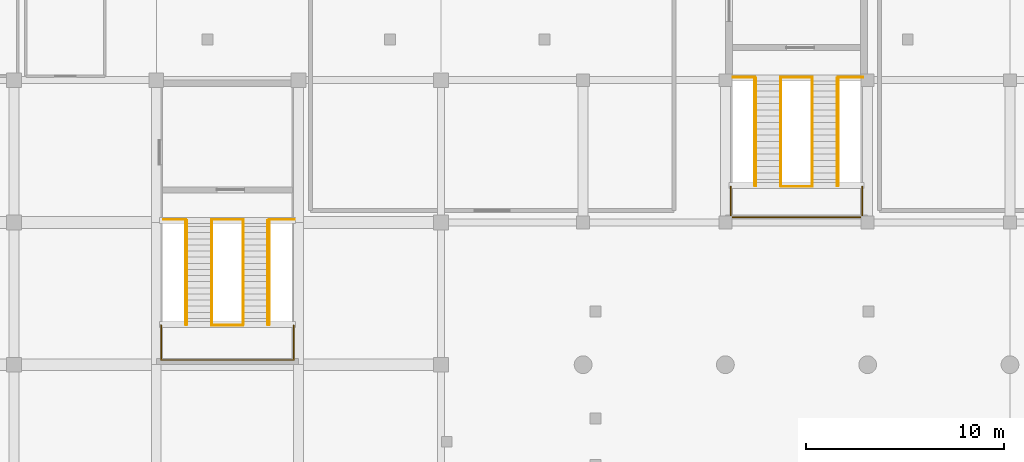
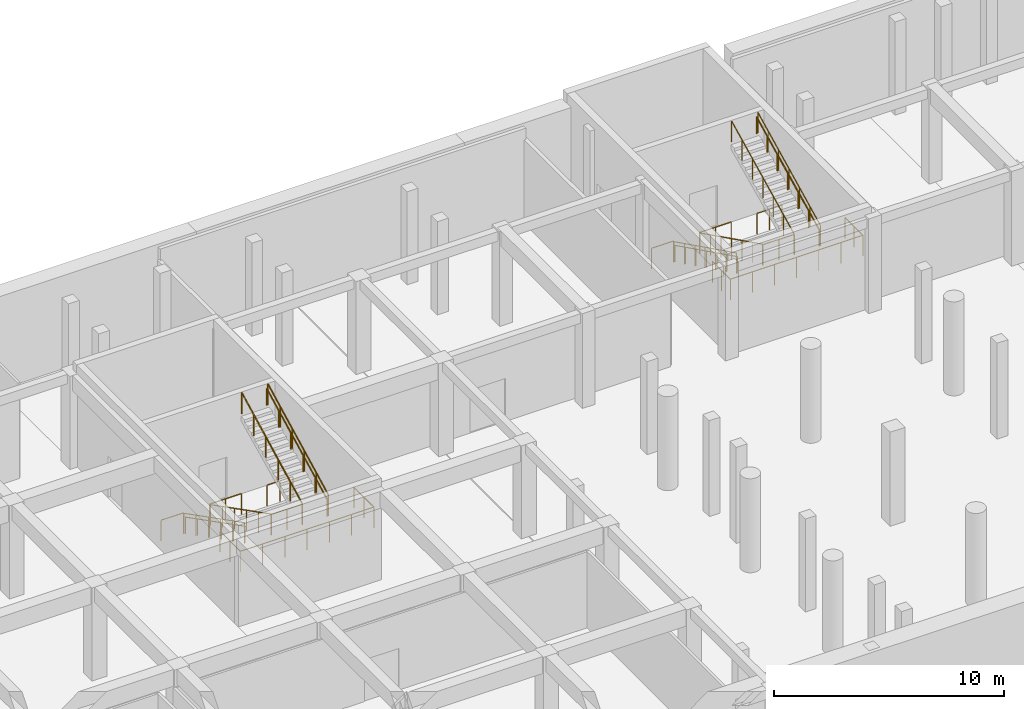
# One storey, part 12 of 15: 22 railings.
"""IFC4 building model written with IfcOpenShell, lengths in metres."""

from ifc_helpers import new_model, si_unit, direction, frame, origin, origin_2d, place, context, subcontext, project, spatial, circle, extrude, material, type_object, element, save


model = new_model("IFC4")

# Units and contexts
model_context = context("Model", 3, precision=1e-05, world=origin(), true_north=direction((0.0, 1.0)))
body_context = subcontext(model_context, "Body", "Model", "MODEL_VIEW")
ifc_project = project(units=[si_unit("LENGTHUNIT", "METRE"), si_unit("AREAUNIT", "SQUARE_METRE"), si_unit("VOLUMEUNIT", "CUBIC_METRE"), si_unit("PLANEANGLEUNIT", "RADIAN"), si_unit("MASSUNIT", "GRAM", prefix="KILO")], contexts=[model_context])

# Site, building, storey
site_placement = place(None, origin())
site = spatial("IfcSite", under=ifc_project, at=site_placement, CompositionType="ELEMENT")
building_placement = place(site_placement, origin())
building = spatial("IfcBuilding", under=site, at=building_placement, Name="Leyfeld Transit Interchange", CompositionType="ELEMENT")
storey_placement = place(building_placement, frame((0.0, 0.0, -5.39990234375)))
storey = spatial("IfcBuildingStorey", under=building, at=storey_placement, Name="B01", CompositionType="ELEMENT", Elevation=-5.39990234375)

# Railings
ifc_material = material(Name="Stainless steel EN 1.4404", Category="steel")
railing_type_1 = type_object("IfcRailingType", Name="RL-STR-GRD-1100", PredefinedType="GUARDRAIL", material=ifc_material)
railing_1_placement = place(storey_placement, frame((86.760009765625, 43.35009765625, 0.0)))
element("IfcRailing", 1, at=railing_1_placement, inside=storey, type_object=railing_type_1, Name="Stair ST-07 Landing Guard FLW B01", PredefinedType="GUARDRAIL", context=body_context, shape_type="SweptSolid", body=[
    extrude(circle(Radius=0.02392578125, at=origin_2d()), frame((0.0, 0.0, 1.09619140625), z_axis=(1.0, 0.0, 0.0), x_axis=(0.0, 1.0, 0.0)), (0.0, 0.0, 1.0), 1.139892578125),
    extrude(circle(Radius=0.02099609375, at=origin_2d()), origin(), (0.0, 0.0, 1.0), 1.072021484375),
    extrude(circle(Radius=0.02099609375, at=origin_2d()), frame((1.139892578125, 0.0, 0.0)), (0.0, 0.0, 1.0), 1.072021484375),
])
railing_2_placement = place(storey_placement, frame((89.199951171875, 43.35009765625, 0.0)))
element("IfcRailing", 2, at=railing_2_placement, inside=storey, type_object=railing_type_1, Name="Stair ST-07 Landing Guard EYE B01", PredefinedType="GUARDRAIL", context=body_context, shape_type="SweptSolid", body=[
    extrude(circle(Radius=0.02392578125, at=origin_2d()), frame((0.0, 0.0, 1.09619140625), z_axis=(1.0, 0.0, 0.0), x_axis=(0.0, 1.0, 0.0)), (0.0, 0.0, 1.0), 1.60009765625),
    extrude(circle(Radius=0.02099609375, at=origin_2d()), origin(), (0.0, 0.0, 1.0), 1.072021484375),
    extrude(circle(Radius=0.02099609375, at=origin_2d()), frame((0.800048828125, 0.0, 0.0)), (0.0, 0.0, 1.0), 1.072021484375),
    extrude(circle(Radius=0.02099609375, at=origin_2d()), frame((1.60009765625, 0.0, 0.0)), (0.0, 0.0, 1.0), 1.072021484375),
])
railing_3_placement = place(storey_placement, frame((92.10009765625, 43.35009765625, 0.0)))
element("IfcRailing", 3, at=railing_3_placement, inside=storey, type_object=railing_type_1, Name="Stair ST-07 Landing Guard FLE B01", PredefinedType="GUARDRAIL", context=body_context, shape_type="SweptSolid", body=[
    extrude(circle(Radius=0.02392578125, at=origin_2d()), frame((0.0, 0.0, 1.09619140625), z_axis=(1.0, 0.0, 0.0), x_axis=(0.0, 1.0, 0.0)), (0.0, 0.0, 1.0), 1.289794921875),
    extrude(circle(Radius=0.02099609375, at=origin_2d()), origin(), (0.0, 0.0, 1.0), 1.072021484375),
    extrude(circle(Radius=0.02099609375, at=origin_2d()), frame((0.64501953125, 0.0, 0.0)), (0.0, 0.0, 1.0), 1.072021484375),
    extrude(circle(Radius=0.02099609375, at=origin_2d()), frame((1.289794921875, 0.0, 0.0)), (0.0, 0.0, 1.0), 1.072021484375),
])
railing_4_placement = place(storey_placement, frame((89.2099609375, 37.989990234375, 2.699951171875)))
element("IfcRailing", 4, at=railing_4_placement, inside=storey, type_object=railing_type_1, Name="Stair ST-07 B01 Half-Landing Inner Guard", PredefinedType="GUARDRAIL", context=body_context, shape_type="SweptSolid", body=[
    extrude(circle(Radius=0.02392578125, at=origin_2d()), frame((0.0, 0.0, 1.09619140625), z_axis=(1.0, 0.0, 0.0), x_axis=(0.0, 1.0, 0.0)), (0.0, 0.0, 1.0), 1.580078125),
    extrude(circle(Radius=0.02099609375, at=origin_2d()), origin(), (0.0, 0.0, 1.0), 1.072021484375),
    extrude(circle(Radius=0.02099609375, at=origin_2d()), frame((0.7900390625, 0.0, 0.0)), (0.0, 0.0, 1.0), 1.072021484375),
    extrude(circle(Radius=0.02099609375, at=origin_2d()), frame((1.580078125, 0.0, 0.0)), (0.0, 0.0, 1.0), 1.072021484375),
])
railing_5_placement = place(storey_placement, frame((86.639892578125, 37.989990234375, 2.699951171875)))
element("IfcRailing", 5, at=railing_5_placement, inside=storey, type_object=railing_type_1, Name="Stair ST-07 B01 Half-Landing Perimeter Guard", PredefinedType="GUARDRAIL", context=body_context, shape_type="SweptSolid", body=[
    extrude(circle(Radius=0.02392578125, at=origin_2d()), frame((0.0, 0.0, 1.09619140625), z_axis=(0.0, -1.0, 0.0), x_axis=(1.0, 0.0, 0.0)), (0.0, 0.0, 1.0), 1.75),
    extrude(circle(Radius=0.02392578125, at=origin_2d()), frame((0.0, -1.75, 1.09619140625), z_axis=(1.0, 0.0, 0.0), x_axis=(0.0, 1.0, 0.0)), (0.0, 0.0, 1.0), 6.72021484375),
    extrude(circle(Radius=0.02392578125, at=origin_2d()), frame((6.72021484375, -1.75, 1.09619140625), z_axis=(0.0, 1.0, 0.0), x_axis=(-1.0, 0.0, 0.0)), (0.0, 0.0, 1.0), 1.75),
    extrude(circle(Radius=0.02099609375, at=origin_2d()), origin(), (0.0, 0.0, 1.0), 1.072021484375),
    extrude(circle(Radius=0.02099609375, at=origin_2d()), frame((0.0, -0.875, 0.0)), (0.0, 0.0, 1.0), 1.072021484375),
    extrude(circle(Radius=0.02099609375, at=origin_2d()), frame((0.0, -1.75, 0.0)), (0.0, 0.0, 1.0), 1.072021484375),
    extrude(circle(Radius=0.02099609375, at=origin_2d()), frame((1.1201171875, -1.75, 0.0)), (0.0, 0.0, 1.0), 1.072021484375),
    extrude(circle(Radius=0.02099609375, at=origin_2d()), frame((2.239990234375, -1.75, 0.0)), (0.0, 0.0, 1.0), 1.072021484375),
    extrude(circle(Radius=0.02099609375, at=origin_2d()), frame((3.360107421875, -1.75, 0.0)), (0.0, 0.0, 1.0), 1.072021484375),
    extrude(circle(Radius=0.02099609375, at=origin_2d()), frame((4.480224609375, -1.75, 0.0)), (0.0, 0.0, 1.0), 1.072021484375),
    extrude(circle(Radius=0.02099609375, at=origin_2d()), frame((5.60009765625, -1.75, 0.0)), (0.0, 0.0, 1.0), 1.072021484375),
    extrude(circle(Radius=0.02099609375, at=origin_2d()), frame((6.72021484375, -1.75, 0.0)), (0.0, 0.0, 1.0), 1.072021484375),
    extrude(circle(Radius=0.02099609375, at=origin_2d()), frame((6.72021484375, -0.875, 0.0)), (0.0, 0.0, 1.0), 1.072021484375),
    extrude(circle(Radius=0.02099609375, at=origin_2d()), frame((6.72021484375, 0.0, 0.0)), (0.0, 0.0, 1.0), 1.072021484375),
])
for number, where, name in (
    (6, (89.2099609375, 43.300048828125, 0.0), "Stair ST-07 B01 F1 Inner Guard"),
    (7, (87.889892578125, 43.300048828125, 0.0), "Stair ST-07 B01 F1 Outer Guard"),
):
    element("IfcRailing", number, at=place(storey_placement, frame(where)), inside=storey, type_object=railing_type_1, Name=name, PredefinedType="GUARDRAIL", context=body_context, shape_type="SweptSolid", body=[
        extrude(circle(Radius=0.02392578125, at=origin_2d()), frame((0.0, 0.0, 1.09619140625), z_axis=(0.0, -0.889997253095, 0.455965886314), x_axis=(1.0, 0.0, 0.0)), (0.0, 0.0, 1.0), 5.92138671875),
        extrude(circle(Radius=0.02099609375, at=origin_2d()), origin(), (0.0, 0.0, 1.0), 1.072021484375),
        extrude(circle(Radius=0.02099609375, at=origin_2d()), frame((0.0, -1.053955078125, 0.5400390625)), (0.0, 0.0, 1.0), 1.072021484375),
        extrude(circle(Radius=0.02099609375, at=origin_2d()), frame((0.0, -2.10791015625, 1.080078125)), (0.0, 0.0, 1.0), 1.072021484375),
        extrude(circle(Radius=0.02099609375, at=origin_2d()), frame((0.0, -3.162109375, 1.619873046875)), (0.0, 0.0, 1.0), 1.072021484375),
        extrude(circle(Radius=0.02099609375, at=origin_2d()), frame((0.0, -4.216064453125, 2.159912109375)), (0.0, 0.0, 1.0), 1.072021484375),
        extrude(circle(Radius=0.02099609375, at=origin_2d()), frame((0.0, -5.27001953125, 2.699951171875)), (0.0, 0.0, 1.0), 1.072021484375),
    ])
for number, where, name in (
    (8, (90.7900390625, 38.030029296875, 2.699951171875), "Stair ST-07 B01 F2 Inner Guard"),
    (9, (92.110107421875, 38.030029296875, 2.699951171875), "Stair ST-07 B01 F2 Outer Guard"),
):
    element("IfcRailing", number, at=place(storey_placement, frame(where)), inside=storey, type_object=railing_type_1, Name=name, PredefinedType="GUARDRAIL", context=body_context, shape_type="SweptSolid", body=[
        extrude(circle(Radius=0.02392578125, at=origin_2d()), frame((0.0, 0.0, 1.09619140625), z_axis=(0.0, 0.889997253095, 0.455965886314), x_axis=(-1.0, 0.0, 0.0)), (0.0, 0.0, 1.0), 5.92138671875),
        extrude(circle(Radius=0.02099609375, at=origin_2d()), origin(), (0.0, 0.0, 1.0), 1.072021484375),
        extrude(circle(Radius=0.02099609375, at=origin_2d()), frame((0.0, 1.053955078125, 0.5400390625)), (0.0, 0.0, 1.0), 1.072021484375),
        extrude(circle(Radius=0.02099609375, at=origin_2d()), frame((0.0, 2.10791015625, 1.080078125)), (0.0, 0.0, 1.0), 1.072021484375),
        extrude(circle(Radius=0.02099609375, at=origin_2d()), frame((0.0, 3.162109375, 1.619873046875)), (0.0, 0.0, 1.0), 1.072021484375),
        extrude(circle(Radius=0.02099609375, at=origin_2d()), frame((0.0, 4.216064453125, 2.159912109375)), (0.0, 0.0, 1.0), 1.072021484375),
        extrude(circle(Radius=0.02099609375, at=origin_2d()), frame((0.0, 5.27001953125, 2.699951171875)), (0.0, 0.0, 1.0), 1.072021484375),
    ])
railing_6_placement = place(storey_placement, frame((115.590087890625, 50.550048828125, 0.0)))
element("IfcRailing", 10, at=railing_6_placement, inside=storey, type_object=railing_type_1, Name="Stair ST-09 Landing Guard FLW B01", PredefinedType="GUARDRAIL", context=body_context, shape_type="SweptSolid", body=[
    extrude(circle(Radius=0.02392578125, at=origin_2d()), frame((0.0, 0.0, 1.09619140625), z_axis=(1.0, 0.0, 0.0), x_axis=(0.0, 1.0, 0.0)), (0.0, 0.0, 1.0), 1.10986328125),
    extrude(circle(Radius=0.02099609375, at=origin_2d()), origin(), (0.0, 0.0, 1.0), 1.072021484375),
    extrude(circle(Radius=0.02099609375, at=origin_2d()), frame((1.10986328125, 0.0, 0.0)), (0.0, 0.0, 1.0), 1.072021484375),
])
railing_7_placement = place(storey_placement, frame((118.0, 50.550048828125, 0.0)))
element("IfcRailing", 11, at=railing_7_placement, inside=storey, type_object=railing_type_1, Name="Stair ST-09 Landing Guard EYE B01", PredefinedType="GUARDRAIL", context=body_context, shape_type="SweptSolid", body=[
    extrude(circle(Radius=0.02392578125, at=origin_2d()), frame((0.0, 0.0, 1.09619140625), z_axis=(1.0, 0.0, 0.0), x_axis=(0.0, 1.0, 0.0)), (0.0, 0.0, 1.0), 1.60009765625),
    extrude(circle(Radius=0.02099609375, at=origin_2d()), origin(), (0.0, 0.0, 1.0), 1.072021484375),
    extrude(circle(Radius=0.02099609375, at=origin_2d()), frame((0.800048828125, 0.0, 0.0)), (0.0, 0.0, 1.0), 1.072021484375),
    extrude(circle(Radius=0.02099609375, at=origin_2d()), frame((1.60009765625, 0.0, 0.0)), (0.0, 0.0, 1.0), 1.072021484375),
])
railing_8_placement = place(storey_placement, frame((120.89990234375, 50.550048828125, 0.0)))
element("IfcRailing", 12, at=railing_8_placement, inside=storey, type_object=railing_type_1, Name="Stair ST-09 Landing Guard FLE B01", PredefinedType="GUARDRAIL", context=body_context, shape_type="SweptSolid", body=[
    extrude(circle(Radius=0.02392578125, at=origin_2d()), frame((0.0, 0.0, 1.09619140625), z_axis=(1.0, 0.0, 0.0), x_axis=(0.0, 1.0, 0.0)), (0.0, 0.0, 1.0), 1.26513671875),
    extrude(circle(Radius=0.02099609375, at=origin_2d()), origin(), (0.0, 0.0, 1.0), 1.072021484375),
    extrude(circle(Radius=0.02099609375, at=origin_2d()), frame((0.632568359375, 0.0, 0.0)), (0.0, 0.0, 1.0), 1.072021484375),
    extrude(circle(Radius=0.02099609375, at=origin_2d()), frame((1.26513671875, 0.0, 0.0)), (0.0, 0.0, 1.0), 1.072021484375),
])
railing_9_placement = place(storey_placement, frame((118.010009765625, 45.02001953125, 2.699951171875)))
element("IfcRailing", 13, at=railing_9_placement, inside=storey, type_object=railing_type_1, Name="Stair ST-09 B01 Half-Landing Inner Guard", PredefinedType="GUARDRAIL", context=body_context, shape_type="SweptSolid", body=[
    extrude(circle(Radius=0.02392578125, at=origin_2d()), frame((0.0, 0.0, 1.09619140625), z_axis=(1.0, 0.0, 0.0), x_axis=(0.0, 1.0, 0.0)), (0.0, 0.0, 1.0), 1.580078125),
    extrude(circle(Radius=0.02099609375, at=origin_2d()), origin(), (0.0, 0.0, 1.0), 1.072021484375),
    extrude(circle(Radius=0.02099609375, at=origin_2d()), frame((0.7900390625, 0.0, 0.0)), (0.0, 0.0, 1.0), 1.072021484375),
    extrude(circle(Radius=0.02099609375, at=origin_2d()), frame((1.580078125, 0.0, 0.0)), (0.0, 0.0, 1.0), 1.072021484375),
])
railing_10_placement = place(storey_placement, frame((115.465087890625, 45.02001953125, 2.699951171875)))
element("IfcRailing", 14, at=railing_10_placement, inside=storey, type_object=railing_type_1, Name="Stair ST-09 B01 Half-Landing Perimeter Guard", PredefinedType="GUARDRAIL", context=body_context, shape_type="SweptSolid", body=[
    extrude(circle(Radius=0.02392578125, at=origin_2d()), frame((0.0, 0.0, 1.09619140625), z_axis=(0.0, -1.0, 0.0), x_axis=(1.0, 0.0, 0.0)), (0.0, 0.0, 1.0), 1.554931640625),
    extrude(circle(Radius=0.02392578125, at=origin_2d()), frame((0.0, -1.554931640625, 1.09619140625), z_axis=(1.0, 0.0, 0.0), x_axis=(0.0, 1.0, 0.0)), (0.0, 0.0, 1.0), 6.669921875),
    extrude(circle(Radius=0.02392578125, at=origin_2d()), frame((6.669921875, -1.554931640625, 1.09619140625), z_axis=(0.0, 1.0, 0.0), x_axis=(-1.0, 0.0, 0.0)), (0.0, 0.0, 1.0), 1.554931640625),
    extrude(circle(Radius=0.02099609375, at=origin_2d()), origin(), (0.0, 0.0, 1.0), 1.072021484375),
    extrude(circle(Radius=0.02099609375, at=origin_2d()), frame((0.0, -0.77734375, 0.0)), (0.0, 0.0, 1.0), 1.072021484375),
    extrude(circle(Radius=0.02099609375, at=origin_2d()), frame((0.0, -1.554931640625, 0.0)), (0.0, 0.0, 1.0), 1.072021484375),
    extrude(circle(Radius=0.02099609375, at=origin_2d()), frame((1.111572265625, -1.554931640625, 0.0)), (0.0, 0.0, 1.0), 1.072021484375),
    extrude(circle(Radius=0.02099609375, at=origin_2d()), frame((2.223388671875, -1.554931640625, 0.0)), (0.0, 0.0, 1.0), 1.072021484375),
    extrude(circle(Radius=0.02099609375, at=origin_2d()), frame((3.3349609375, -1.554931640625, 0.0)), (0.0, 0.0, 1.0), 1.072021484375),
    extrude(circle(Radius=0.02099609375, at=origin_2d()), frame((4.446533203125, -1.554931640625, 0.0)), (0.0, 0.0, 1.0), 1.072021484375),
    extrude(circle(Radius=0.02099609375, at=origin_2d()), frame((5.558349609375, -1.554931640625, 0.0)), (0.0, 0.0, 1.0), 1.072021484375),
    extrude(circle(Radius=0.02099609375, at=origin_2d()), frame((6.669921875, -1.554931640625, 0.0)), (0.0, 0.0, 1.0), 1.072021484375),
    extrude(circle(Radius=0.02099609375, at=origin_2d()), frame((6.669921875, -0.77734375, 0.0)), (0.0, 0.0, 1.0), 1.072021484375),
    extrude(circle(Radius=0.02099609375, at=origin_2d()), frame((6.669921875, 0.0, 0.0)), (0.0, 0.0, 1.0), 1.072021484375),
])
for number, where, name in (
    (15, (118.010009765625, 50.5, 0.0), "Stair ST-09 B01 F1 Inner Guard"),
    (16, (116.68994140625, 50.5, 0.0), "Stair ST-09 B01 F1 Outer Guard"),
):
    element("IfcRailing", number, at=place(storey_placement, frame(where)), inside=storey, type_object=railing_type_1, Name=name, PredefinedType="GUARDRAIL", context=body_context, shape_type="SweptSolid", body=[
        extrude(circle(Radius=0.02392578125, at=origin_2d()), frame((0.0, 0.0, 1.09619140625), z_axis=(0.0, -0.895741871369, 0.444574515549), x_axis=(1.0, 0.0, 0.0)), (0.0, 0.0, 1.0), 6.072998046875),
        extrude(circle(Radius=0.02099609375, at=origin_2d()), origin(), (0.0, 0.0, 1.0), 1.072021484375),
        extrude(circle(Radius=0.02099609375, at=origin_2d()), frame((0.0, -0.90673828125, 0.449951171875)), (0.0, 0.0, 1.0), 1.072021484375),
        extrude(circle(Radius=0.02099609375, at=origin_2d()), frame((0.0, -1.813232421875, 0.89990234375)), (0.0, 0.0, 1.0), 1.072021484375),
        extrude(circle(Radius=0.02099609375, at=origin_2d()), frame((0.0, -2.719970703125, 1.35009765625)), (0.0, 0.0, 1.0), 1.072021484375),
        extrude(circle(Radius=0.02099609375, at=origin_2d()), frame((0.0, -3.626708984375, 1.800048828125)), (0.0, 0.0, 1.0), 1.072021484375),
        extrude(circle(Radius=0.02099609375, at=origin_2d()), frame((0.0, -4.533203125, 2.25)), (0.0, 0.0, 1.0), 1.072021484375),
        extrude(circle(Radius=0.02099609375, at=origin_2d()), frame((0.0, -5.43994140625, 2.699951171875)), (0.0, 0.0, 1.0), 1.072021484375),
    ])
for number, where, name in (
    (17, (119.590087890625, 45.06005859375, 2.699951171875), "Stair ST-09 B01 F2 Inner Guard"),
    (18, (120.909912109375, 45.06005859375, 2.699951171875), "Stair ST-09 B01 F2 Outer Guard"),
):
    element("IfcRailing", number, at=place(storey_placement, frame(where)), inside=storey, type_object=railing_type_1, Name=name, PredefinedType="GUARDRAIL", context=body_context, shape_type="SweptSolid", body=[
        extrude(circle(Radius=0.02392578125, at=origin_2d()), frame((0.0, 0.0, 1.09619140625), z_axis=(0.0, 0.895741871369, 0.444574515549), x_axis=(-1.0, 0.0, 0.0)), (0.0, 0.0, 1.0), 6.072998046875),
        extrude(circle(Radius=0.02099609375, at=origin_2d()), origin(), (0.0, 0.0, 1.0), 1.072021484375),
        extrude(circle(Radius=0.02099609375, at=origin_2d()), frame((0.0, 0.90673828125, 0.449951171875)), (0.0, 0.0, 1.0), 1.072021484375),
        extrude(circle(Radius=0.02099609375, at=origin_2d()), frame((0.0, 1.813232421875, 0.89990234375)), (0.0, 0.0, 1.0), 1.072021484375),
        extrude(circle(Radius=0.02099609375, at=origin_2d()), frame((0.0, 2.719970703125, 1.35009765625)), (0.0, 0.0, 1.0), 1.072021484375),
        extrude(circle(Radius=0.02099609375, at=origin_2d()), frame((0.0, 3.626708984375, 1.800048828125)), (0.0, 0.0, 1.0), 1.072021484375),
        extrude(circle(Radius=0.02099609375, at=origin_2d()), frame((0.0, 4.533203125, 2.25)), (0.0, 0.0, 1.0), 1.072021484375),
        extrude(circle(Radius=0.02099609375, at=origin_2d()), frame((0.0, 5.43994140625, 2.699951171875)), (0.0, 0.0, 1.0), 1.072021484375),
    ])
railing_type_2 = type_object("IfcRailingType", Name="RL-STR-HND-900", PredefinedType="HANDRAIL", material=ifc_material)
railing_11_placement = place(storey_placement, frame((87.949951171875, 43.300048828125, 0.0)))
element("IfcRailing", 19, at=railing_11_placement, inside=storey, type_object=railing_type_2, Name="Stair ST-07 B01 F1 Handrail", PredefinedType="HANDRAIL", context=body_context, shape_type="SweptSolid", body=[
    extrude(circle(Radius=0.02392578125, at=origin_2d()), frame((0.0, 0.0, 0.8759765625), z_axis=(0.0, -0.889997253095, 0.455965886314), x_axis=(1.0, 0.0, 0.0)), (0.0, 0.0, 1.0), 5.92138671875),
    extrude(circle(Radius=0.02099609375, at=origin_2d()), origin(), (0.0, 0.0, 1.0), 0.851806640625),
    extrude(circle(Radius=0.02099609375, at=origin_2d()), frame((0.0, -1.053955078125, 0.5400390625)), (0.0, 0.0, 1.0), 0.851806640625),
    extrude(circle(Radius=0.02099609375, at=origin_2d()), frame((0.0, -2.10791015625, 1.080078125)), (0.0, 0.0, 1.0), 0.851806640625),
    extrude(circle(Radius=0.02099609375, at=origin_2d()), frame((0.0, -3.162109375, 1.619873046875)), (0.0, 0.0, 1.0), 0.851806640625),
    extrude(circle(Radius=0.02099609375, at=origin_2d()), frame((0.0, -4.216064453125, 2.159912109375)), (0.0, 0.0, 1.0), 0.851806640625),
    extrude(circle(Radius=0.02099609375, at=origin_2d()), frame((0.0, -5.27001953125, 2.699951171875)), (0.0, 0.0, 1.0), 0.851806640625),
])
railing_12_placement = place(storey_placement, frame((92.050048828125, 38.030029296875, 2.699951171875)))
element("IfcRailing", 20, at=railing_12_placement, inside=storey, type_object=railing_type_2, Name="Stair ST-07 B01 F2 Handrail", PredefinedType="HANDRAIL", context=body_context, shape_type="SweptSolid", body=[
    extrude(circle(Radius=0.02392578125, at=origin_2d()), frame((0.0, 0.0, 0.8759765625), z_axis=(0.0, 0.889997253095, 0.455965886314), x_axis=(-1.0, 0.0, 0.0)), (0.0, 0.0, 1.0), 5.92138671875),
    extrude(circle(Radius=0.02099609375, at=origin_2d()), origin(), (0.0, 0.0, 1.0), 0.851806640625),
    extrude(circle(Radius=0.02099609375, at=origin_2d()), frame((0.0, 1.053955078125, 0.5400390625)), (0.0, 0.0, 1.0), 0.851806640625),
    extrude(circle(Radius=0.02099609375, at=origin_2d()), frame((0.0, 2.10791015625, 1.080078125)), (0.0, 0.0, 1.0), 0.851806640625),
    extrude(circle(Radius=0.02099609375, at=origin_2d()), frame((0.0, 3.162109375, 1.619873046875)), (0.0, 0.0, 1.0), 0.851806640625),
    extrude(circle(Radius=0.02099609375, at=origin_2d()), frame((0.0, 4.216064453125, 2.159912109375)), (0.0, 0.0, 1.0), 0.851806640625),
    extrude(circle(Radius=0.02099609375, at=origin_2d()), frame((0.0, 5.27001953125, 2.699951171875)), (0.0, 0.0, 1.0), 0.851806640625),
])
railing_13_placement = place(storey_placement, frame((116.75, 50.5, 0.0)))
element("IfcRailing", 21, at=railing_13_placement, inside=storey, type_object=railing_type_2, Name="Stair ST-09 B01 F1 Handrail", PredefinedType="HANDRAIL", context=body_context, shape_type="SweptSolid", body=[
    extrude(circle(Radius=0.02392578125, at=origin_2d()), frame((0.0, 0.0, 0.8759765625), z_axis=(0.0, -0.895741871369, 0.444574515549), x_axis=(1.0, 0.0, 0.0)), (0.0, 0.0, 1.0), 6.072998046875),
    extrude(circle(Radius=0.02099609375, at=origin_2d()), origin(), (0.0, 0.0, 1.0), 0.851806640625),
    extrude(circle(Radius=0.02099609375, at=origin_2d()), frame((0.0, -0.90673828125, 0.449951171875)), (0.0, 0.0, 1.0), 0.851806640625),
    extrude(circle(Radius=0.02099609375, at=origin_2d()), frame((0.0, -1.813232421875, 0.89990234375)), (0.0, 0.0, 1.0), 0.851806640625),
    extrude(circle(Radius=0.02099609375, at=origin_2d()), frame((0.0, -2.719970703125, 1.35009765625)), (0.0, 0.0, 1.0), 0.851806640625),
    extrude(circle(Radius=0.02099609375, at=origin_2d()), frame((0.0, -3.626708984375, 1.800048828125)), (0.0, 0.0, 1.0), 0.851806640625),
    extrude(circle(Radius=0.02099609375, at=origin_2d()), frame((0.0, -4.533203125, 2.25)), (0.0, 0.0, 1.0), 0.851806640625),
    extrude(circle(Radius=0.02099609375, at=origin_2d()), frame((0.0, -5.43994140625, 2.699951171875)), (0.0, 0.0, 1.0), 0.851806640625),
])
railing_14_placement = place(storey_placement, frame((120.85009765625, 45.06005859375, 2.699951171875)))
element("IfcRailing", 22, at=railing_14_placement, inside=storey, type_object=railing_type_2, Name="Stair ST-09 B01 F2 Handrail", PredefinedType="HANDRAIL", context=body_context, shape_type="SweptSolid", body=[
    extrude(circle(Radius=0.02392578125, at=origin_2d()), frame((0.0, 0.0, 0.8759765625), z_axis=(0.0, 0.895741871369, 0.444574515549), x_axis=(-1.0, 0.0, 0.0)), (0.0, 0.0, 1.0), 6.072998046875),
    extrude(circle(Radius=0.02099609375, at=origin_2d()), origin(), (0.0, 0.0, 1.0), 0.851806640625),
    extrude(circle(Radius=0.02099609375, at=origin_2d()), frame((0.0, 0.90673828125, 0.449951171875)), (0.0, 0.0, 1.0), 0.851806640625),
    extrude(circle(Radius=0.02099609375, at=origin_2d()), frame((0.0, 1.813232421875, 0.89990234375)), (0.0, 0.0, 1.0), 0.851806640625),
    extrude(circle(Radius=0.02099609375, at=origin_2d()), frame((0.0, 2.719970703125, 1.35009765625)), (0.0, 0.0, 1.0), 0.851806640625),
    extrude(circle(Radius=0.02099609375, at=origin_2d()), frame((0.0, 3.626708984375, 1.800048828125)), (0.0, 0.0, 1.0), 0.851806640625),
    extrude(circle(Radius=0.02099609375, at=origin_2d()), frame((0.0, 4.533203125, 2.25)), (0.0, 0.0, 1.0), 0.851806640625),
    extrude(circle(Radius=0.02099609375, at=origin_2d()), frame((0.0, 5.43994140625, 2.699951171875)), (0.0, 0.0, 1.0), 0.851806640625),
])

save(model, "model.ifc")
